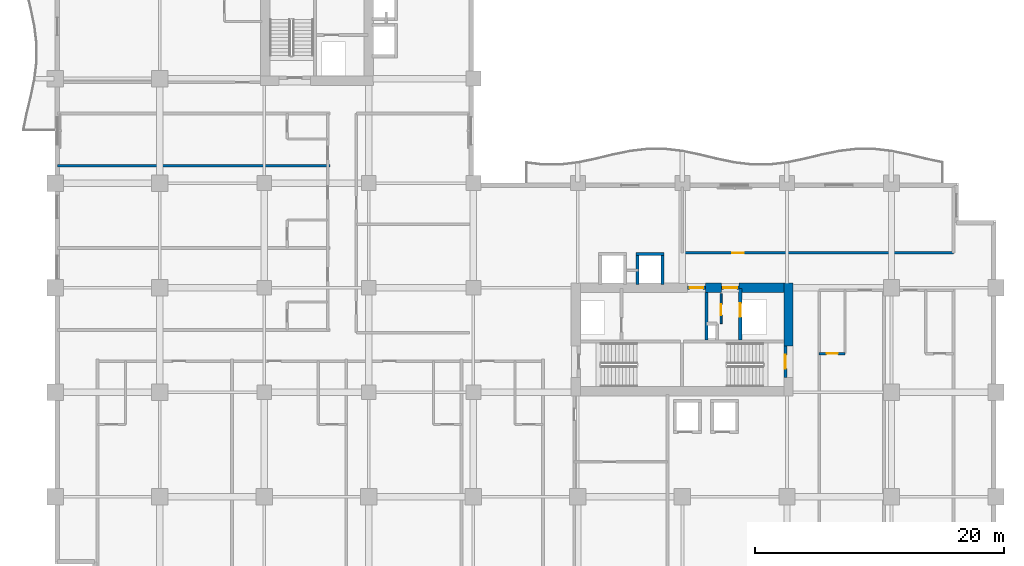
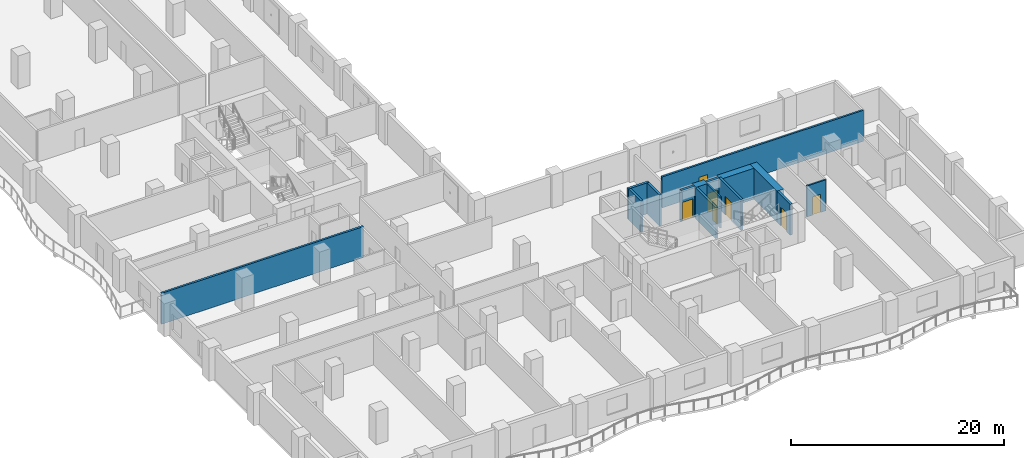
# One storey, part 6 of 18: 15 walls, 7 doors, 7 openings.
"""IFC4 building model written with IfcOpenShell, lengths in metres."""

import ifcopenshell
import ifcopenshell.guid

model = None  # the IFC model being written
_history = None  # IfcOwnerHistory: only IFC2X3 demands one
_inside = {}  # id of a spatial element -> (the spatial element, [elements in it])
_under = {}  # id of a project, library or spatial element -> (it, [spatial elements below it])
_declared = {}  # id of a project -> (the project, [libraries it declares])
_typed = {}  # id of a type object -> (the type object, [elements of that type])
_made_of = {}  # id of a material, layer set ... -> (it, [elements and type objects made of it])


def new_model(schema):
    """Start an empty IFC model of exactly this schema.

    Asked for "IFC4X3", IfcOpenShell would pick the latest addendum, in which some entities
    have other attributes; the version numbers below select the first issue.
    IFC2X3 requires an IfcOwnerHistory on every rooted entity: one is made here for all.
    """
    global model, _history
    if schema == "IFC4X3":
        model = ifcopenshell.file(schema_version=(4, 3, 0, 0))
    else:
        model = ifcopenshell.file(schema=schema)
    _inside.clear()
    _under.clear()
    _declared.clear()
    _typed.clear()
    _made_of.clear()
    _history = None
    if model.schema == "IFC2X3":
        org = make("IfcOrganization", Name="unknown")
        user = make(
            "IfcPersonAndOrganization",
            ThePerson=make("IfcPerson", FamilyName="unknown"),
            TheOrganization=org,
        )
        app = make(
            "IfcApplication",
            ApplicationDeveloper=org,
            Version="unknown",
            ApplicationFullName="unknown",
            ApplicationIdentifier="unknown",
        )
        _history = make(
            "IfcOwnerHistory",
            OwningUser=user,
            OwningApplication=app,
            ChangeAction="ADDED",
            CreationDate=0,
        )
    return model


def make(cls, **values):
    """One entity of the class cls with the attributes given. An attribute that is None is left unset."""
    return model.create_entity(
        cls, **{name: value for name, value in values.items() if value is not None}
    )


def rooted(cls, **values):
    """An entity with a GlobalId (a new one), such as an element, a storey or a relation."""
    return make(cls, GlobalId=ifcopenshell.guid.new(), OwnerHistory=_history, **values)


def si_unit(unit_type, name, prefix=None):
    """IfcSIUnit, for example si_unit("LENGTHUNIT", "METRE", prefix="MILLI")."""
    return make("IfcSIUnit", UnitType=unit_type, Prefix=prefix, Name=name)


def assignment(units):
    """IfcUnitAssignment: the units of a project."""
    return None if units is None else make("IfcUnitAssignment", Units=units)


def point(xyz):
    """IfcCartesianPoint."""
    return None if xyz is None else make("IfcCartesianPoint", Coordinates=xyz)


def direction(xyz):
    """IfcDirection."""
    return None if xyz is None else make("IfcDirection", DirectionRatios=xyz)


def frame(location, z_axis=None, x_axis=None):
    """IfcAxis2Placement3D, a coordinate frame: its origin and axes. An axis left out is left unset."""
    return make(
        "IfcAxis2Placement3D",
        Location=point(location),
        Axis=direction(z_axis),
        RefDirection=direction(x_axis),
    )


def frame_2d(location, x_axis=None):
    """IfcAxis2Placement2D, a coordinate frame in the plane: its origin and x axis."""
    return make(
        "IfcAxis2Placement2D", Location=point(location), RefDirection=direction(x_axis)
    )


def origin():
    """The frame at (0, 0, 0) with its axes left unset."""
    return frame((0.0, 0.0, 0.0))


def place(relative_to, where):
    """IfcLocalPlacement: puts the frame where relative to a parent placement (None: the world)."""
    return make(
        "IfcLocalPlacement", PlacementRelTo=relative_to, RelativePlacement=where
    )


def context(
    kind, dimensions, precision=None, world=None, true_north=None, identifier=None
):
    """IfcGeometricRepresentationContext, for example the 3D "Model" context."""
    return make(
        "IfcGeometricRepresentationContext",
        ContextIdentifier=identifier,
        ContextType=kind,
        CoordinateSpaceDimension=dimensions,
        Precision=precision,
        WorldCoordinateSystem=world,
        TrueNorth=true_north,
    )


def subcontext(parent, identifier, kind, view, scale=None):
    """IfcGeometricRepresentationSubContext, for example "Body" below "Model"."""
    return make(
        "IfcGeometricRepresentationSubContext",
        ContextIdentifier=identifier,
        ContextType=kind,
        ParentContext=parent,
        TargetScale=scale,
        TargetView=view,
    )


def project(units=None, contexts=None):
    """IfcProject with its units and contexts."""
    return rooted(
        "IfcProject",
        Name="project",
        RepresentationContexts=contexts,
        UnitsInContext=assignment(units),
    )


def spatial(cls, under=None, at=None, **own):
    """A site, building, storey or space (cls), placed at a placement, below another one or the project."""
    s = rooted(cls, ObjectPlacement=at, **own)
    if under is not None:
        _under.setdefault(under.id(), (under, []))[1].append(s)
    return s


def profile(cls, at=None, kind="AREA", **sizes):
    """A parametric profile (cls). Its sizes go by their IFC names, for example OverallWidth=200.0."""
    return make(cls, ProfileType=kind, Position=at, **sizes)


def rectangle(**sizes):
    """IfcRectangleProfileDef."""
    return profile("IfcRectangleProfileDef", **sizes)


def extrude(swept, where, along, depth):
    """IfcExtrudedAreaSolid: the profile swept, set in the frame where, extruded along a direction by depth."""
    return make(
        "IfcExtrudedAreaSolid",
        SweptArea=swept,
        Position=where,
        ExtrudedDirection=direction(along),
        Depth=depth,
    )


def shape(context_of_items, identifier, shape_type, items):
    """IfcShapeRepresentation: the items that make up one representation, for example the "Body"."""
    return make(
        "IfcShapeRepresentation",
        ContextOfItems=context_of_items,
        RepresentationIdentifier=identifier,
        RepresentationType=shape_type,
        Items=items,
    )


def material(Name=None, Category=None):
    """IfcMaterial."""
    return make("IfcMaterial", Name=Name, Category=Category)


def layer(
    of_material, thickness, ventilated=None, Name=None, Category=None, Priority=None
):
    """IfcMaterialLayer: one layer of a wall or slab, of a material (None: an air gap)."""
    return make(
        "IfcMaterialLayer",
        Material=of_material,
        LayerThickness=thickness,
        IsVentilated=ventilated,
        Name=Name,
        Category=Category,
        Priority=Priority,
    )


def layer_set(layers, Name=None):
    """IfcMaterialLayerSet."""
    return make("IfcMaterialLayerSet", MaterialLayers=layers, LayerSetName=Name)


def made_of(thing, what):
    """Note that an element or type object is made of a material, layer set ...; save() writes the relation."""
    if what is not None:
        _made_of.setdefault(what.id(), (what, []))[1].append(thing)
    return thing


def type_object(cls, material=None, **own):
    """A type object (cls), such as IfcWallType, which elements share."""
    return made_of(rooted(cls, **own), material)


def element(
    cls,
    number,
    at=None,
    inside=None,
    cuts=None,
    type_object=None,
    material=None,
    context=None,
    identifier="Body",
    shape_type=None,
    held_by="IfcProductDefinitionShape",
    body=None,
    shapes=None,
    **own,
):
    """One element of the class cls, such as IfcWall. Its Tag is "e" and its number.

    at: its placement. inside: the storey or other place that contains it. cuts: it is an
    opening in that element (IfcRelVoidsElement). A single representation is given by context,
    identifier, shape_type and body (its items); several are given by shapes. held_by: the class
    of the entity that holds the representations. save() writes the other relations.
    """
    e = rooted(cls, Tag="e%d" % number, ObjectPlacement=at, **own)
    if body is not None:
        shapes = [shape(context, identifier, shape_type, body)]
    if shapes is not None:
        e.Representation = make(held_by, Representations=shapes)
    if inside is not None:
        _inside.setdefault(inside.id(), (inside, []))[1].append(e)
    if cuts is not None:
        rooted(
            "IfcRelVoidsElement", RelatingBuildingElement=cuts, RelatedOpeningElement=e
        )
    if type_object is not None:
        _typed.setdefault(type_object.id(), (type_object, []))[1].append(e)
    return made_of(e, material)


def fill(opening, filler):
    """IfcRelFillsElement: the door or window that sits in an opening."""
    return rooted(
        "IfcRelFillsElement",
        RelatingOpeningElement=opening,
        RelatedBuildingElement=filler,
    )


def aggregate(whole, parts):
    """IfcRelAggregates: a whole, such as a stair, and the parts it consists of."""
    return rooted("IfcRelAggregates", RelatingObject=whole, RelatedObjects=parts)


def save(model, path):
    """Write the relations noted so far, then the file.

    IfcRelAggregates (storeys below a building ...), IfcRelContainedInSpatialStructure (elements
    in a storey), IfcRelDefinesByType, IfcRelAssociatesMaterial and IfcRelDeclares: one each for
    every whole, place, type object, material and project.
    """
    for whole, parts in _under.values():
        aggregate(whole, parts)
    for where, things in _inside.values():
        rooted(
            "IfcRelContainedInSpatialStructure",
            RelatedElements=things,
            RelatingStructure=where,
        )
    for kind, things in _typed.values():
        rooted("IfcRelDefinesByType", RelatedObjects=things, RelatingType=kind)
    for what, things in _made_of.values():
        rooted("IfcRelAssociatesMaterial", RelatedObjects=things, RelatingMaterial=what)
    for by, libraries in _declared.values():
        rooted("IfcRelDeclares", RelatingContext=by, RelatedDefinitions=libraries)
    model.write(path)


model = new_model("IFC4")

# Units and contexts
model_context = context("Model", 3, precision=1e-05, world=origin(), true_north=direction((0.0, 1.0)))
body_context = subcontext(model_context, "Body", "Model", "MODEL_VIEW")
ifc_project = project(units=[si_unit("LENGTHUNIT", "METRE"), si_unit("AREAUNIT", "SQUARE_METRE"), si_unit("VOLUMEUNIT", "CUBIC_METRE"), si_unit("PLANEANGLEUNIT", "RADIAN"), si_unit("MASSUNIT", "GRAM", prefix="KILO")], contexts=[model_context])

# Site, building, storey
site_placement = place(None, origin())
site = spatial("IfcSite", under=ifc_project, at=site_placement, CompositionType="ELEMENT")
building_placement = place(site_placement, origin())
building = spatial("IfcBuilding", under=site, at=building_placement, Name="Koriwani Terraces Tower", CompositionType="ELEMENT")
storey_placement = place(building_placement, frame((0.0, 0.0, 115.199951171875)))
storey = spatial("IfcBuildingStorey", under=building, at=storey_placement, Name="L27", CompositionType="ELEMENT", Elevation=115.199951171875)

# Walls
ifc_material_1 = material(Name="Concrete C60/75", Category="concrete")
ifc_layer_1 = layer(ifc_material_1, 0.75, Name="Concrete C60/75")
ifc_layer_set_1 = layer_set([ifc_layer_1], Name="Concrete C60/75")
wall_type_1 = type_object("IfcWallType", Name="WALL_CORE_RC_750", PredefinedType="SHEAR", material=ifc_layer_set_1)
wall_1_placement = place(storey_placement, frame((58.925048828125, 20.5, 0.0), z_axis=(0.0, 0.0, 1.0), x_axis=(0.0, 1.0, 0.0)))
element("IfcWall", 1, at=wall_1_placement, inside=storey, type_object=wall_type_1, Name="L27 East Split Core Shear Wall E2", PredefinedType="SHEAR", context=body_context, shape_type="SweptSolid", body=[
    extrude(rectangle(XDim=5.074951171875, YDim=0.75, at=frame_2d((2.53759765625, 0.0))), origin(), (0.0, 0.0, 1.0), 3.550048828125),
])
wall_2_placement = place(storey_placement, frame((52.280029296875, 25.199951171875, 0.0), z_axis=(0.0, 0.0, 1.0), x_axis=(1.0, 0.0, 0.0)))
element("IfcWall", 2, at=wall_2_placement, inside=storey, type_object=wall_type_1, Name="L27 East Split Core Shear Wall N2", PredefinedType="SHEAR", context=body_context, shape_type="SweptSolid", body=[
    extrude(rectangle(XDim=1.27001953125, YDim=0.75, at=frame_2d((0.635009765625, 0.0))), origin(), (0.0, 0.0, 1.0), 3.550048828125),
])
wall_3_placement = place(storey_placement, frame((54.949951171875, 25.199951171875, 0.0), z_axis=(0.0, 0.0, 1.0), x_axis=(1.0, 0.0, 0.0)))
element("IfcWall", 3, at=wall_3_placement, inside=storey, type_object=wall_type_1, Name="L27 East Split Core Shear Wall N3", PredefinedType="SHEAR", context=body_context, shape_type="SweptSolid", body=[
    extrude(rectangle(XDim=3.60009765625, YDim=0.75, at=frame_2d((1.800048828125, 0.0))), origin(), (0.0, 0.0, 1.0), 3.550048828125),
])

# Wall, opening, door
ifc_material_2 = material(Name="Autoclaved Cellular Concrete Blockwork", Category="masonry")
ifc_layer_2 = layer(ifc_material_2, 0.199951171875, Name="Autoclaved Cellular Concrete Blockwork")
ifc_layer_set_2 = layer_set([ifc_layer_2], Name="Autoclaved Cellular Concrete Blockwork")
wall_type_2 = type_object("IfcWallType", Name="WALL_CORRIDOR_200", PredefinedType="PARTITIONING", material=ifc_layer_set_2)
wall_4_placement = place(storey_placement, frame((50.39990234375, 28.0, 0.0), z_axis=(0.0, 0.0, 1.0), x_axis=(1.0, 0.0, 0.0)))
wall_4 = element("IfcWall", 4, at=wall_4_placement, inside=storey, type_object=wall_type_2, Name="L27 Interior Wall WSEC-S-L27", PredefinedType="PARTITIONING", context=body_context, shape_type="SweptSolid", body=[
    extrude(rectangle(XDim=21.800048828125, YDim=0.199951171875, at=frame_2d((10.89990234375, 0.0))), origin(), (0.0, 0.0, 1.0), 3.550048828125),
])
opening_1_placement = place(wall_4_placement, frame((4.0, 0.0, 0.0)))
opening_1 = element("IfcOpeningElement", 5, at=opening_1_placement, cuts=wall_4, Name="Opening D-06", PredefinedType="OPENING", context=body_context, shape_type="SweptSolid", body=[
    extrude(rectangle(XDim=0.919921875, YDim=2.10009765625, at=frame_2d((0.4599609375, 1.050048828125))), frame((0.0, 0.10986328125, 0.0), z_axis=(0.0, -1.0, 0.0), x_axis=(1.0, 0.0, 0.0)), (0.0, 0.0, 1.0), 0.219970703125),
])
ifc_material_3 = material(Name="Architectural Oak Fire Door", Category="wood")
door_type_1 = type_object("IfcDoorType", Name="DOOR_ROOM_INT_920X2100", OperationType="NOTDEFINED", PredefinedType="DOOR", material=ifc_material_3)
door_1_placement = place(opening_1_placement, origin())
door_1 = element("IfcDoor", 6, at=door_1_placement, inside=storey, type_object=door_type_1, Name="L27 East Court Study Door", OperationType="SINGLE_SWING_LEFT", OverallHeight=2.10009765625, OverallWidth=0.919921875, PredefinedType="DOOR", context=body_context, shape_type="SweptSolid", body=[
    extrude(rectangle(XDim=0.919921875, YDim=2.10009765625, at=frame_2d((0.4599609375, 1.050048828125))), frame((0.0, 0.02490234375, 0.0), z_axis=(0.0, -1.0, 0.0), x_axis=(1.0, 0.0, 0.0)), (0.0, 0.0, 1.0), 0.050048828125),
])
fill(opening_1, door_1)

# Wall
ifc_layer_3 = layer(ifc_material_2, 0.219970703125, Name="Autoclaved Cellular Concrete Blockwork")
ifc_layer_set_3 = layer_set([ifc_layer_3], Name="Autoclaved Cellular Concrete Blockwork")
wall_type_3 = type_object("IfcWallType", Name="WALL_DEMISING_220", PredefinedType="PARTITIONING", material=ifc_layer_set_3)
wall_5_placement = place(storey_placement, frame((0.199951171875, 35.0, 0.0), z_axis=(0.0, 0.0, 1.0), x_axis=(1.0, 0.0, 0.0)))
element("IfcWall", 7, at=wall_5_placement, inside=storey, type_object=wall_type_3, Name="L27 Interior Wall WDEM-L27-NW-2", PredefinedType="PARTITIONING", context=body_context, shape_type="SweptSolid", body=[
    extrude(rectangle(XDim=21.880126953125, YDim=0.219970703125, at=frame_2d((10.93994140625, 0.0))), origin(), (0.0, 0.0, 1.0), 3.550048828125),
])

# Wall, opening, door
ifc_material_4 = material(Name="Fire-Rated Acoustic Gypsum Partition", Category="masonry")
ifc_layer_4 = layer(ifc_material_4, 0.179931640625, Name="Fire-Rated Acoustic Gypsum Partition")
ifc_layer_set_4 = layer_set([ifc_layer_4], Name="Fire-Rated Acoustic Gypsum Partition")
wall_type_4 = type_object("IfcWallType", Name="WALL_PLUMBING_180", PredefinedType="PLUMBINGWALL", material=ifc_layer_set_4)
wall_6_placement = place(storey_placement, frame((61.39990234375, 19.89990234375, 0.0), z_axis=(0.0, 0.0, 1.0), x_axis=(1.0, 0.0, 0.0)))
wall_6 = element("IfcWall", 8, at=wall_6_placement, inside=storey, type_object=wall_type_4, Name="L27 Interior Wall WBTH1-L27-SE-0", PredefinedType="PLUMBINGWALL", context=body_context, shape_type="SweptSolid", body=[
    extrude(rectangle(XDim=2.080078125, YDim=0.179931640625, at=frame_2d((1.0400390625, 0.0))), origin(), (0.0, 0.0, 1.0), 3.550048828125),
])
opening_2_placement = place(wall_6_placement, frame((0.590087890625, 0.0, 0.0)))
opening_2 = element("IfcOpeningElement", 9, at=opening_2_placement, cuts=wall_6, Name="Opening D-07", PredefinedType="OPENING", context=body_context, shape_type="SweptSolid", body=[
    extrude(rectangle(XDim=0.89990234375, YDim=2.10009765625, at=frame_2d((0.449951171875, 1.050048828125))), frame((0.0, 0.10009765625, 0.0), z_axis=(0.0, -1.0, 0.0), x_axis=(1.0, 0.0, 0.0)), (0.0, 0.0, 1.0), 0.199951171875),
])
door_type_2 = type_object("IfcDoorType", Name="DOOR_BATH_INT_900X2100", OperationType="NOTDEFINED", PredefinedType="DOOR", material=ifc_material_3)
door_2_placement = place(opening_2_placement, origin())
door_2 = element("IfcDoor", 10, at=door_2_placement, inside=storey, type_object=door_type_2, Name="En-Suite Bathroom 27SE1 Door", OperationType="SINGLE_SWING_RIGHT", OverallHeight=2.10009765625, OverallWidth=0.89990234375, PredefinedType="DOOR", context=body_context, shape_type="SweptSolid", body=[
    extrude(rectangle(XDim=0.89990234375, YDim=2.10009765625, at=frame_2d((0.449951171875, 1.050048828125))), frame((0.0, 0.02490234375, 0.0), z_axis=(0.0, -1.0, 0.0), x_axis=(1.0, 0.0, 0.0)), (0.0, 0.0, 1.0), 0.050048828125),
])
fill(opening_2, door_2)

ifc_material_5 = material(Name="Concrete C40/50", Category="concrete")
ifc_layer_5 = layer(ifc_material_5, 0.25, Name="Concrete C40/50")
ifc_layer_set_5 = layer_set([ifc_layer_5], Name="Concrete C40/50")
wall_type_5 = type_object("IfcWallType", Name="WALL_SHAFT_RATED_250", PredefinedType="SOLIDWALL", material=ifc_layer_set_5)
wall_7_placement = place(storey_placement, frame((58.675048828125, 18.0, 0.0), z_axis=(0.0, 0.0, 1.0), x_axis=(0.0, 1.0, 0.0)))
wall_7 = element("IfcWall", 11, at=wall_7_placement, inside=storey, type_object=wall_type_5, Name="L27 Interior Wall WIN-CE-L27-STE", PredefinedType="SOLIDWALL", context=body_context, shape_type="SweptSolid", body=[
    extrude(rectangle(XDim=2.5, YDim=0.25, at=frame_2d((1.25, 0.0))), origin(), (0.0, 0.0, 1.0), 3.550048828125),
])
opening_3_placement = place(wall_7_placement, frame((0.699951171875, 0.0, 0.0)))
opening_3 = element("IfcOpeningElement", 12, at=opening_3_placement, cuts=wall_7, Name="Opening D-03", PredefinedType="OPENING", context=body_context, shape_type="SweptSolid", body=[
    extrude(rectangle(XDim=1.10009765625, YDim=2.14990234375, at=frame_2d((0.550048828125, 1.074951171875))), frame((0.0, 0.135009765625, 0.0), z_axis=(0.0, -1.0, 0.0), x_axis=(1.0, 0.0, 0.0)), (0.0, 0.0, 1.0), 0.27001953125),
])
ifc_material_6 = material(Name="Steel ASTM A572 Grade 50", Category="steel")
door_type_3 = type_object("IfcDoorType", Name="DOOR_STAIR_FIRE_1100X2150", OperationType="NOTDEFINED", PredefinedType="DOOR", material=ifc_material_6)
door_3_placement = place(opening_3_placement, origin())
door_3 = element("IfcDoor", 13, at=door_3_placement, inside=storey, type_object=door_type_3, Name="L27 Exit Stair ST-E2 Door", OperationType="SINGLE_SWING_LEFT", OverallHeight=2.14990234375, OverallWidth=1.10009765625, PredefinedType="DOOR", context=body_context, shape_type="SweptSolid", body=[
    extrude(rectangle(XDim=1.10009765625, YDim=2.14990234375, at=frame_2d((0.550048828125, 1.074951171875))), frame((0.0, 0.02490234375, 0.0), z_axis=(0.0, -1.0, 0.0), x_axis=(1.0, 0.0, 0.0)), (0.0, 0.0, 1.0), 0.050048828125),
])
fill(opening_3, door_3)

wall_8_placement = place(storey_placement, frame((50.800048828125, 25.199951171875, 0.0), z_axis=(0.0, 0.0, 1.0), x_axis=(1.0, 0.0, 0.0)))
wall_8 = element("IfcWall", 14, at=wall_8_placement, inside=storey, type_object=wall_type_5, Name="L27 Interior Wall WIN-CE-L27-NP", PredefinedType="SOLIDWALL", context=body_context, shape_type="SweptSolid", body=[
    extrude(rectangle(XDim=1.47998046875, YDim=0.25, at=frame_2d((0.739990234375, 0.0))), origin(), (0.0, 0.0, 1.0), 3.550048828125),
])
opening_4_placement = place(wall_8_placement, frame((0.179931640625, 0.0, 0.0)))
opening_4 = element("IfcOpeningElement", 15, at=opening_4_placement, cuts=wall_8, Name="Opening D-03", PredefinedType="OPENING", context=body_context, shape_type="SweptSolid", body=[
    extrude(rectangle(XDim=1.10009765625, YDim=2.14990234375, at=frame_2d((0.550048828125, 1.074951171875))), frame((0.0, 0.135009765625, 0.0), z_axis=(0.0, -1.0, 0.0), x_axis=(1.0, 0.0, 0.0)), (0.0, 0.0, 1.0), 0.27001953125),
])
door_4_placement = place(opening_4_placement, origin())
door_4 = element("IfcDoor", 16, at=door_4_placement, inside=storey, type_object=door_type_3, Name="L27 East Firefighting Lobby Door", OperationType="SINGLE_SWING_RIGHT", OverallHeight=2.14990234375, OverallWidth=1.10009765625, PredefinedType="DOOR", context=body_context, shape_type="SweptSolid", body=[
    extrude(rectangle(XDim=1.10009765625, YDim=2.14990234375, at=frame_2d((0.550048828125, 1.074951171875))), frame((0.0, 0.02490234375, 0.0), z_axis=(0.0, -1.0, 0.0), x_axis=(1.0, 0.0, 0.0)), (0.0, 0.0, 1.0), 0.050048828125),
])
fill(opening_4, door_4)

# Wall
wall_9_placement = place(storey_placement, frame((52.340087890625, 21.0, 0.0), z_axis=(0.0, 0.0, 1.0), x_axis=(0.0, 1.0, 0.0)))
element("IfcWall", 17, at=wall_9_placement, inside=storey, type_object=wall_type_5, Name="L27 Interior Wall WIN-CE-L27-FFE", PredefinedType="SOLIDWALL", context=body_context, shape_type="SweptSolid", body=[
    extrude(rectangle(XDim=3.824951171875, YDim=0.25, at=frame_2d((1.91259765625, 0.0))), origin(), (0.0, 0.0, 1.0), 3.550048828125),
])

# Wall, opening, door
wall_10_placement = place(storey_placement, frame((55.050048828125, 21.0, 0.0), z_axis=(0.0, 0.0, 1.0), x_axis=(0.0, 1.0, 0.0)))
wall_10 = element("IfcWall", 18, at=wall_10_placement, inside=storey, type_object=wall_type_5, Name="L27 Interior Wall WIN-CE-L27-SE", PredefinedType="SOLIDWALL", context=body_context, shape_type="SweptSolid", body=[
    extrude(rectangle(XDim=4.14990234375, YDim=0.25, at=frame_2d((2.074951171875, 0.0))), origin(), (0.0, 0.0, 1.0), 3.550048828125),
])
opening_5_placement = place(wall_10_placement, frame((1.85009765625, 0.0, 0.0)))
opening_5 = element("IfcOpeningElement", 19, at=opening_5_placement, cuts=wall_10, Name="Opening LD-01", PredefinedType="OPENING", context=body_context, shape_type="SweptSolid", body=[
    extrude(rectangle(XDim=1.10009765625, YDim=2.14990234375, at=frame_2d((0.550048828125, 1.074951171875))), frame((0.0, 0.135009765625, 0.0), z_axis=(0.0, -1.0, 0.0), x_axis=(1.0, 0.0, 0.0)), (0.0, 0.0, 1.0), 0.27001953125),
])
door_type_4 = type_object("IfcDoorType", Name="DOOR_LIFT_LANDING_1100X2200", OperationType="NOTDEFINED", PredefinedType="DOOR", material=ifc_material_6)
door_5_placement = place(opening_5_placement, origin())
door_5 = element("IfcDoor", 20, at=door_5_placement, inside=storey, type_object=door_type_4, Name="L27 Goods Lift SE-02 Landing Door", OperationType="SLIDING_TO_LEFT", OverallHeight=2.14990234375, OverallWidth=1.10009765625, PredefinedType="DOOR", context=body_context, shape_type="SweptSolid", body=[
    extrude(rectangle(XDim=1.10009765625, YDim=2.14990234375, at=frame_2d((0.550048828125, 1.074951171875))), frame((0.0, 0.02490234375, 0.0), z_axis=(0.0, -1.0, 0.0), x_axis=(1.0, 0.0, 0.0)), (0.0, 0.0, 1.0), 0.050048828125),
])
fill(opening_5, door_5)

wall_11_placement = place(storey_placement, frame((53.550048828125, 25.199951171875, 0.0), z_axis=(0.0, 0.0, 1.0), x_axis=(1.0, 0.0, 0.0)))
wall_11 = element("IfcWall", 21, at=wall_11_placement, inside=storey, type_object=wall_type_5, Name="L27 Interior Wall WIN-CE-L27-NP2", PredefinedType="SOLIDWALL", context=body_context, shape_type="SweptSolid", body=[
    extrude(rectangle(XDim=1.39990234375, YDim=0.25, at=frame_2d((0.699951171875, 0.0))), origin(), (0.0, 0.0, 1.0), 3.550048828125),
])
opening_6_placement = place(wall_11_placement, frame((0.14990234375, 0.0, 0.0)))
opening_6 = element("IfcOpeningElement", 22, at=opening_6_placement, cuts=wall_11, Name="Opening D-03", PredefinedType="OPENING", context=body_context, shape_type="SweptSolid", body=[
    extrude(rectangle(XDim=1.10009765625, YDim=2.14990234375, at=frame_2d((0.550048828125, 1.074951171875))), frame((0.0, 0.135009765625, 0.0), z_axis=(0.0, -1.0, 0.0), x_axis=(1.0, 0.0, 0.0)), (0.0, 0.0, 1.0), 0.27001953125),
])
door_6_placement = place(opening_6_placement, origin())
door_6 = element("IfcDoor", 23, at=door_6_placement, inside=storey, type_object=door_type_3, Name="L27 East Goods Lift Lobby Door", OperationType="SINGLE_SWING_LEFT", OverallHeight=2.14990234375, OverallWidth=1.10009765625, PredefinedType="DOOR", context=body_context, shape_type="SweptSolid", body=[
    extrude(rectangle(XDim=1.10009765625, YDim=2.14990234375, at=frame_2d((0.550048828125, 1.074951171875))), frame((0.0, 0.02490234375, 0.0), z_axis=(0.0, -1.0, 0.0), x_axis=(1.0, 0.0, 0.0)), (0.0, 0.0, 1.0), 0.050048828125),
])
fill(opening_6, door_6)

# Walls
wall_12_placement = place(storey_placement, frame((46.675048828125, 27.89990234375, 0.0), z_axis=(0.0, 0.0, 1.0), x_axis=(1.0, 0.0, 0.0)))
element("IfcWall", 24, at=wall_12_placement, inside=storey, type_object=wall_type_5, Name="L27 Interior Wall WIN-LF-PE-H4-L27-F", PredefinedType="SOLIDWALL", context=body_context, shape_type="SweptSolid", body=[
    extrude(rectangle(XDim=2.25, YDim=0.25, at=frame_2d((1.125, 0.0))), origin(), (0.0, 0.0, 1.0), 3.550048828125),
])
for number, where, z_axis, x_axis, name in (
    (25, (46.800048828125, 25.449951171875, 0.0), (0.0, 0.0, 1.0), (0.0, 1.0, 0.0), "L27 Interior Wall WIN-LF-PE-H4-L27-W"),
    (26, (48.800048828125, 25.449951171875, 0.0), (0.0, 0.0, 1.0), (0.0, 1.0, 0.0), "L27 Interior Wall WIN-LF-PE-H4-L27-E"),
):
    element("IfcWall", number, at=place(storey_placement, frame(where, z_axis=z_axis, x_axis=x_axis)), inside=storey, type_object=wall_type_5, Name=name, PredefinedType="SOLIDWALL", context=body_context, shape_type="SweptSolid", body=[
        extrude(rectangle(XDim=2.324951171875, YDim=0.25, at=frame_2d((1.16259765625, 0.0))), origin(), (0.0, 0.0, 1.0), 3.550048828125),
    ])

# Wall, opening, door
ifc_layer_6 = layer(ifc_material_4, 0.159912109375, Name="Fire-Rated Acoustic Gypsum Partition")
ifc_layer_set_6 = layer_set([ifc_layer_6], Name="Fire-Rated Acoustic Gypsum Partition")
wall_type_6 = type_object("IfcWallType", Name="WALL_SUITE_160", PredefinedType="PARTITIONING", material=ifc_layer_set_6)
wall_13_placement = place(storey_placement, frame((53.52001953125, 22.320068359375, 0.0), z_axis=(0.0, 0.0, 1.0), x_axis=(0.0, 1.0, 0.0)))
wall_13 = element("IfcWall", 27, at=wall_13_placement, inside=storey, type_object=wall_type_6, Name="L27 Interior Wall WIN-CE-L27-SV0", PredefinedType="PARTITIONING", context=body_context, shape_type="SweptSolid", body=[
    extrude(rectangle(XDim=2.39990234375, YDim=0.159912109375, at=frame_2d((1.199951171875, 0.0))), origin(), (0.0, 0.0, 1.0), 3.550048828125),
])
opening_7_placement = place(wall_13_placement, frame((0.64990234375, 0.0, 0.0)))
opening_7 = element("IfcOpeningElement", 28, at=opening_7_placement, cuts=wall_13, Name="Opening D-07", PredefinedType="OPENING", context=body_context, shape_type="SweptSolid", body=[
    extrude(rectangle(XDim=0.89990234375, YDim=2.10009765625, at=frame_2d((0.449951171875, 1.050048828125))), frame((0.0, 0.08984375, 0.0), z_axis=(0.0, -1.0, 0.0), x_axis=(1.0, 0.0, 0.0)), (0.0, 0.0, 1.0), 0.179931640625),
])
door_7_placement = place(opening_7_placement, origin())
door_7 = element("IfcDoor", 29, at=door_7_placement, inside=storey, type_object=door_type_2, Name="L27 East Electrical Switch Room Door", OperationType="SINGLE_SWING_RIGHT", OverallHeight=2.10009765625, OverallWidth=0.89990234375, PredefinedType="DOOR", context=body_context, shape_type="SweptSolid", body=[
    extrude(rectangle(XDim=0.89990234375, YDim=2.10009765625, at=frame_2d((0.449951171875, 1.050048828125))), frame((0.0, 0.02490234375, 0.0), z_axis=(0.0, -1.0, 0.0), x_axis=(1.0, 0.0, 0.0)), (0.0, 0.0, 1.0), 0.050048828125),
])
fill(opening_7, door_7)

save(model, "model.ifc")
